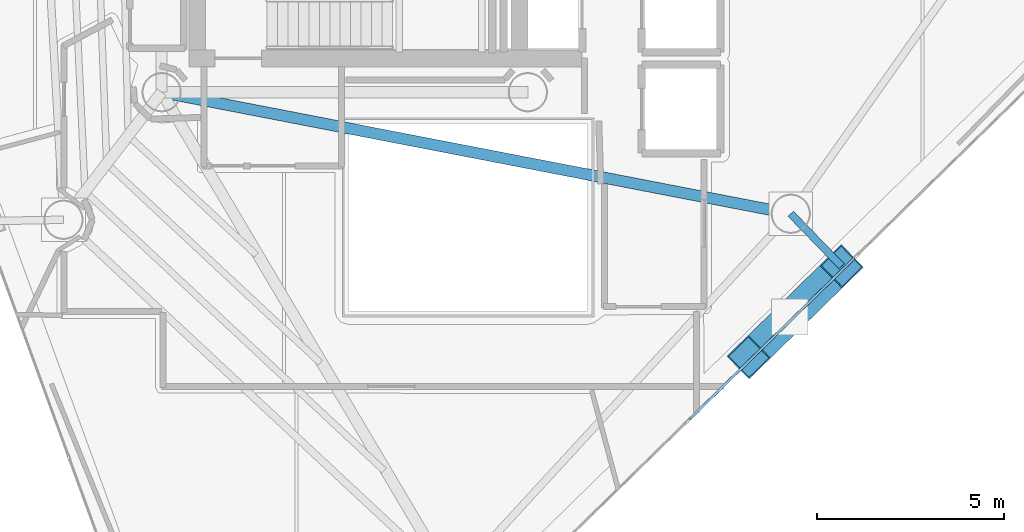
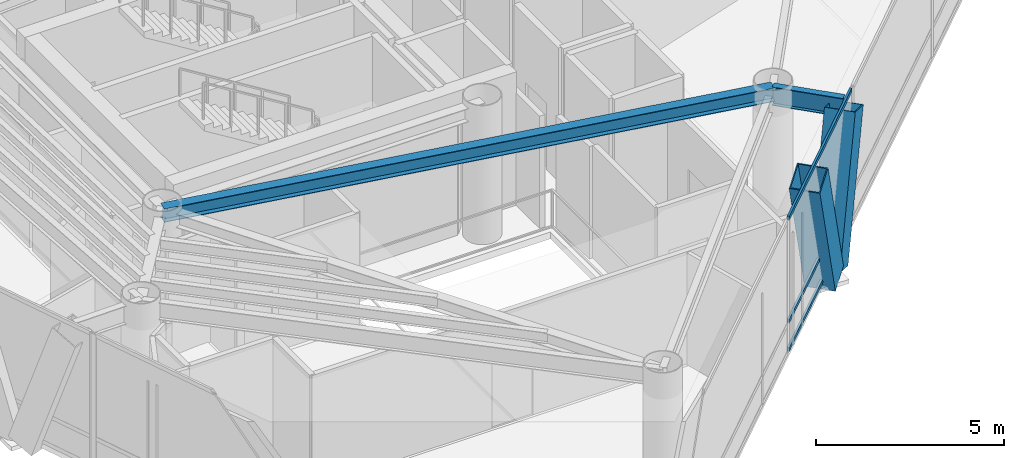
# One storey, part 6 of 21: 5 members, 2 beams, 1 element without a shape of its own.
"""IFC4 building model written with IfcOpenShell, lengths in metres."""

from ifc_helpers import new_model, si_unit, direction, frame, origin, origin_2d, place, context, subcontext, project, spatial, hollow_rectangle, i_section, extrude, material, layer, layer_set, material_profile, profile_set, type_object, element, aggregate, save


model = new_model("IFC4")

# Units and contexts
model_context = context("Model", 3, precision=1e-05, world=origin(), true_north=direction((0.0, 1.0)))
body_context = subcontext(model_context, "Body", "Model", "MODEL_VIEW")
ifc_project = project(units=[si_unit("LENGTHUNIT", "METRE"), si_unit("AREAUNIT", "SQUARE_METRE"), si_unit("VOLUMEUNIT", "CUBIC_METRE"), si_unit("PLANEANGLEUNIT", "RADIAN"), si_unit("MASSUNIT", "GRAM", prefix="KILO")], contexts=[model_context])

# Site, building, storey
site_placement = place(None, origin())
site = spatial("IfcSite", under=ifc_project, at=site_placement, CompositionType="ELEMENT")
building_placement = place(site_placement, origin())
building = spatial("IfcBuilding", under=site, at=building_placement, Name="Qianvela Tower", CompositionType="ELEMENT")
storey_placement = place(building_placement, frame((0.0, 0.0, 234.5)))
storey = spatial("IfcBuildingStorey", under=building, at=storey_placement, Name="L60", CompositionType="ELEMENT", Elevation=234.5)

# Beams
ifc_material_1 = material(Name="Steel Q355B", Category="steel")
ifc_material_profile_1 = material_profile(ifc_material_1, i_section(OverallWidth=0.300048828125, OverallDepth=0.43994140625, WebThickness=0.010986328125, FlangeThickness=0.01806640625, at=origin_2d()), Name="HM440x300x11x18")
ifc_profile_set_1 = profile_set([ifc_material_profile_1], Name="Steel Q355B")
beam_type_1 = type_object("IfcBeamType", Name="BM-HM440-COLL", PredefinedType="BEAM", material=ifc_profile_set_1)
beam_1_placement = place(storey_placement, frame((28.60009765625, 23.85009765625, 4.097900390625), z_axis=(0.981849104236, -0.189663745904, 0.0), x_axis=(0.189663745904, 0.981849104236, 0.0)))
element("IfcBeam", 1, at=beam_1_placement, inside=storey, type_object=beam_type_1, Name="L60 Radial Primary Floor Girder 6", PredefinedType="BEAM", context=body_context, shape_type="SweptSolid", body=[
    extrude(i_section(OverallWidth=0.300048828125, OverallDepth=0.43994140625, WebThickness=0.010986328125, FlangeThickness=0.01806640625, at=origin_2d()), origin(), (0.0, 0.0, 1.0), 17.147216796875),
])
ifc_material_2 = material(Name="Steel Q355B", Category="steel")
ifc_material_profile_2 = material_profile(ifc_material_2, i_section(OverallWidth=0.199951171875, OverallDepth=0.60009765625, WebThickness=0.010986328125, FlangeThickness=0.01708984375, at=origin_2d()), Name="HN600x200x11x17")
ifc_profile_set_2 = profile_set([ifc_material_profile_2], Name="Steel Q355B")
beam_type_2 = type_object("IfcBeamType", Name="BM-HN600-GIRD", PredefinedType="BEAM", material=ifc_profile_set_2)
beam_2_placement = place(storey_placement, frame((45.43603515625, 20.597900390625, 4.01806640625), z_axis=(0.695481645335, -0.718543861572, 0.0), x_axis=(0.718543861572, 0.695481645335, 0.0)))
element("IfcBeam", 2, at=beam_2_placement, inside=storey, type_object=beam_type_2, Name="L60 Mega-Brace Column Tie Bracket F3-2", PredefinedType="BEAM", context=body_context, shape_type="SweptSolid", body=[
    extrude(i_section(OverallWidth=0.199951171875, OverallDepth=0.60009765625, WebThickness=0.010986328125, FlangeThickness=0.01708984375, at=origin_2d()), origin(), (0.0, 0.0, 1.0), 1.95849609375),
])

# Curtain wall, members
ifc_material_3 = material(Name="Anodised Architectural Aluminium and Insulated Spandrel Panel", Category="aluminium")
ifc_layer = layer(ifc_material_3, 0.179931640625)
ifc_layer_set = layer_set([ifc_layer], Name="Anodised Architectural Aluminium and Insulated Spandrel Panel")
curtain_wall_type = type_object("IfcCurtainWallType", Name="CW-BRACEBAY", PredefinedType="USERDEFINED", material=ifc_layer_set)
curtain_wall_placement = place(storey_placement, origin())
curtain_wall = element("IfcCurtainWall", 3, at=curtain_wall_placement, inside=storey, type_object=curtain_wall_type, Name="L60 CW-BRACEBAY Curtain Wall 06B", ObjectType="CURTAIN_WALL_SYSTEM", PredefinedType="USERDEFINED")
ifc_material_4 = material(Name="Anodised Architectural Aluminium 6063-T6", Category="aluminium")
ifc_material_profile_3 = material_profile(ifc_material_4, hollow_rectangle(XDim=0.06494140625, YDim=0.1298828125, WallThickness=0.00439453125, at=origin_2d()), Name="ALU-TRAN-65x130")
ifc_profile_set_3 = profile_set([ifc_material_profile_3], Name="Anodised Architectural Aluminium 6063-T6")
member_type_1 = type_object("IfcMemberType", Name="CW-BRACEBAY-TRAN", PredefinedType="USERDEFINED", material=ifc_profile_set_3)
member_1_placement = place(storey_placement, frame((42.7216796875, 15.093505859375, 0.032470703125), z_axis=(0.715054577904, 0.699068630836, 0.0), x_axis=(-0.699068630836, 0.715054577904, 0.0)))
member_1 = element("IfcMember", 4, at=member_1_placement, type_object=member_type_1, Name="CW-9 transom 1.1", ObjectType="TRANSOM", PredefinedType="USERDEFINED", context=body_context, shape_type="SweptSolid", body=[
    extrude(hollow_rectangle(XDim=0.06494140625, YDim=0.1298828125, WallThickness=0.00439453125, at=origin_2d()), origin(), (0.0, 0.0, 1.0), 6.169921875),
])
member_2_placement = place(storey_placement, frame((42.7216796875, 15.093505859375, 0.949951171875), z_axis=(0.715054577904, 0.699068630836, 0.0), x_axis=(-0.699068630836, 0.715054577904, 0.0)))
member_2 = element("IfcMember", 5, at=member_2_placement, type_object=member_type_1, Name="CW-9 transom 1.2", ObjectType="TRANSOM", PredefinedType="USERDEFINED", context=body_context, shape_type="SweptSolid", body=[
    extrude(hollow_rectangle(XDim=0.06494140625, YDim=0.1298828125, WallThickness=0.00439453125, at=origin_2d()), origin(), (0.0, 0.0, 1.0), 6.169921875),
])
member_3_placement = place(storey_placement, frame((42.7216796875, 15.093505859375, 4.28759765625), z_axis=(0.715054577904, 0.699068630836, 0.0), x_axis=(-0.699068630836, 0.715054577904, 0.0)))
member_3 = element("IfcMember", 6, at=member_3_placement, type_object=member_type_1, Name="CW-9 transom 1.3", ObjectType="TRANSOM", PredefinedType="USERDEFINED", context=body_context, shape_type="SweptSolid", body=[
    extrude(hollow_rectangle(XDim=0.06494140625, YDim=0.1298828125, WallThickness=0.00439453125, at=origin_2d()), origin(), (0.0, 0.0, 1.0), 6.169921875),
])
aggregate(curtain_wall, [member_1, member_2, member_3])

# Members
ifc_material_5 = material(Name="Steel Q420GJC", Category="steel")
ifc_material_profile_4 = material_profile(ifc_material_5, hollow_rectangle(XDim=0.85009765625, YDim=0.85009765625, WallThickness=0.031982421875, at=origin_2d()), Name="MBOX-850x850x32")
ifc_profile_set_4 = profile_set([ifc_material_profile_4], Name="Steel Q420GJC")
member_type_2 = type_object("IfcMemberType", Name="MBR-MBRACE-850", PredefinedType="BRACE", material=ifc_profile_set_4)
for number, where, z_axis, x_axis, name in (
    (7, (45.3974609375, 17.8212890625, -0.179931640625), (-0.243301747797, -0.237833063873, 0.940340200804), (0.699024497874, -0.715097721554, 0.0), "L60 Tier 10 Exterior Mega-Brace F3A"),
    (8, (45.7119140625, 18.12890625, -0.179931640625), (0.243301747797, 0.237833063873, 0.940340200804), (-0.699024497874, 0.715097721554, 0.0), "L60 Tier 10 Exterior Mega-Brace F3B"),
):
    element("IfcMember", number, at=place(storey_placement, frame(where, z_axis=z_axis, x_axis=x_axis)), inside=storey, type_object=member_type_2, Name=name, PredefinedType="BRACE", context=body_context, shape_type="SweptSolid", body=[
        extrude(hollow_rectangle(XDim=0.85009765625, YDim=0.85009765625, WallThickness=0.031982421875, at=origin_2d()), origin(), (0.0, 0.0, 1.0), 4.46435546875),
    ])

save(model, "model.ifc")
